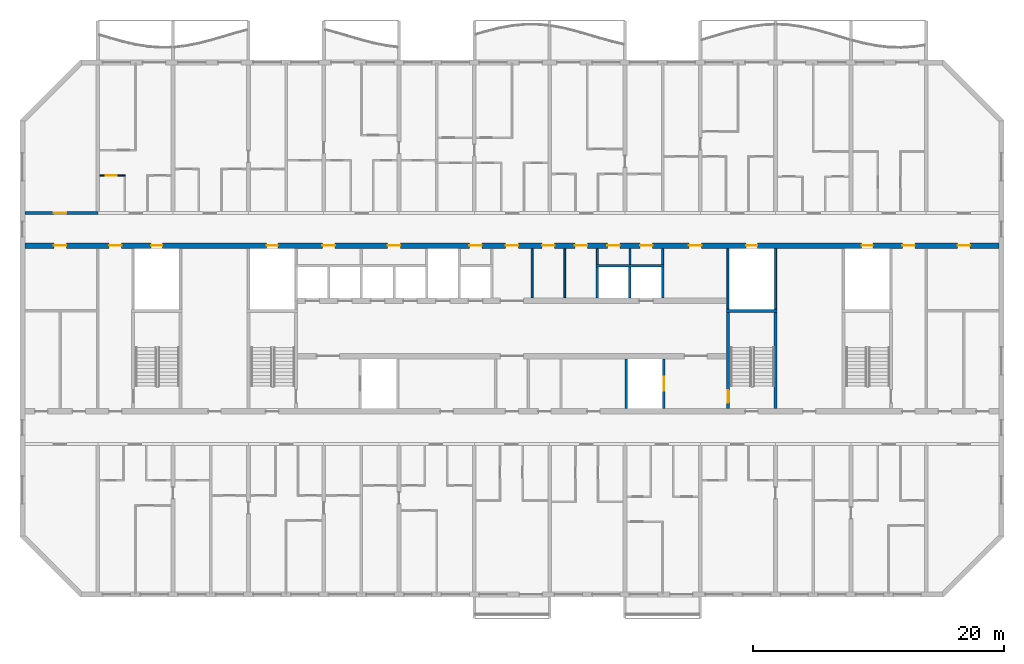
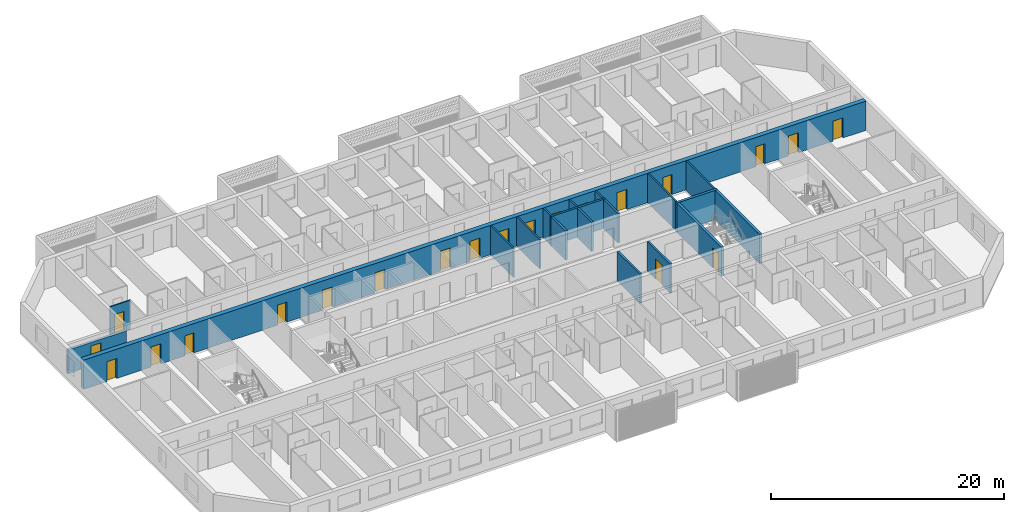
# One storey, part 7 of 31: 21 doors, 19 walls, 21 openings.
"""IFC4 building model written with IfcOpenShell, lengths in metres."""

from ifc_helpers import new_model, si_unit, direction, frame, frame_2d, origin, place, context, subcontext, project, spatial, rectangle, extrude, material, layer, layer_set, type_object, element, fill, save


model = new_model("IFC4")

# Units and contexts
model_context = context("Model", 3, precision=1e-05, world=origin(), true_north=direction((0.0, 1.0)))
body_context = subcontext(model_context, "Body", "Model", "MODEL_VIEW")
ifc_project = project(units=[si_unit("LENGTHUNIT", "METRE"), si_unit("AREAUNIT", "SQUARE_METRE"), si_unit("VOLUMEUNIT", "CUBIC_METRE"), si_unit("PLANEANGLEUNIT", "RADIAN"), si_unit("MASSUNIT", "GRAM", prefix="KILO")], contexts=[model_context])

# Site, building, storey
site_placement = place(None, origin())
site = spatial("IfcSite", under=ifc_project, at=site_placement, CompositionType="ELEMENT")
building_placement = place(site_placement, origin())
building = spatial("IfcBuilding", under=site, at=building_placement, Name="Poui Terraces", CompositionType="ELEMENT")
storey_placement = place(building_placement, frame((0.0, 0.0, 148.800048828125)))
storey = spatial("IfcBuildingStorey", under=building, at=storey_placement, Name="L41", CompositionType="ELEMENT", Elevation=148.800048828125)

# Wall
ifc_material_1 = material(Name="Fire-rated plasterboard wall")
ifc_layer_1 = layer(ifc_material_1, 0.14990234375)
ifc_layer_set_1 = layer_set([ifc_layer_1], Name="Fire-rated plasterboard wall")
wall_type_1 = type_object("IfcWallType", Name="CORRIDOR WALL 150", PredefinedType="PARTITIONING", material=ifc_layer_set_1)
wall_1_placement = place(storey_placement, frame((52.60009765625, 23.635009765625, 0.0), z_axis=(0.0, 0.0, 1.0), x_axis=(0.0, 1.0, 0.0)))
element("IfcWall", 1, at=wall_1_placement, inside=storey, type_object=wall_type_1, Name="CORRIDOR WALL 150", PredefinedType="PARTITIONING", context=body_context, shape_type="SweptSolid", body=[
    extrude(rectangle(XDim=3.929931640625, YDim=0.14990234375, at=frame_2d((1.96484375, 0.0))), origin(), (0.0, 0.0, 1.0), 3.070068359375),
])

# Wall, opening, door
ifc_material_2 = material(Name="Concrete 65 MPa", Category="concrete")
ifc_layer_2 = layer(ifc_material_2, 0.25)
ifc_layer_set_2 = layer_set([ifc_layer_2], Name="Concrete 65 MPa")
wall_type_2 = type_object("IfcWallType", Name="CORRIDOR WALL 250 65MPa", PredefinedType="SHEAR", material=ifc_layer_set_2)
wall_2_placement = place(storey_placement, frame((12.199951171875, 30.39990234375, 0.0), z_axis=(0.0, 0.0, 1.0), x_axis=(1.0, 0.0, 0.0)))
wall_2 = element("IfcWall", 2, at=wall_2_placement, inside=storey, type_object=wall_type_2, Name="CORRIDOR WALL LINE E BAY 1", PredefinedType="SHEAR", context=body_context, shape_type="SweptSolid", body=[
    extrude(rectangle(XDim=5.800048828125, YDim=0.25, at=frame_2d((2.89990234375, 0.0))), origin(), (0.0, 0.0, 1.0), 2.469970703125),
])
opening_1_placement = place(wall_2_placement, frame((2.300048828125, 0.0, 0.0)))
opening_1 = element("IfcOpeningElement", 3, at=opening_1_placement, cuts=wall_2, Name="Opening D100", PredefinedType="OPENING", context=body_context, shape_type="SweptSolid", body=[
    extrude(rectangle(XDim=1.0, YDim=2.10009765625, at=frame_2d((0.5, 1.050048828125))), frame((0.0, 0.135009765625, 0.0), z_axis=(0.0, -1.0, 0.0), x_axis=(1.0, 0.0, 0.0)), (0.0, 0.0, 1.0), 0.27001953125),
])
ifc_material_3 = material(Name="Solid core timber door", Category="wood")
door_type_1 = type_object("IfcDoorType", Name="ACCESSIBLE INTERNAL DOOR 1000 X 2100", OperationType="NOTDEFINED", PredefinedType="DOOR", material=ifc_material_3)
door_1_placement = place(opening_1_placement, origin())
door_1 = element("IfcDoor", 4, at=door_1_placement, inside=storey, type_object=door_type_1, Name="ACCESSIBLE INTERNAL DOOR 032", OperationType="SINGLE_SWING_LEFT", OverallHeight=2.10009765625, OverallWidth=1.0, PredefinedType="DOOR", context=body_context, shape_type="SweptSolid", body=[
    extrude(rectangle(XDim=1.0, YDim=2.10009765625, at=frame_2d((0.5, 1.050048828125))), frame((0.0, 0.02490234375, 0.0), z_axis=(0.0, -1.0, 0.0), x_axis=(1.0, 0.0, 0.0)), (0.0, 0.0, 1.0), 0.050048828125),
])
fill(opening_1, door_1)

ifc_material_4 = material(Name="Plasterboard partition")
ifc_layer_3 = layer(ifc_material_4, 0.10009765625)
ifc_layer_set_3 = layer_set([ifc_layer_3], Name="Plasterboard partition")
wall_type_3 = type_object("IfcWallType", Name="FLAT PARTITION 100", PredefinedType="PARTITIONING", material=ifc_layer_set_3)
wall_3_placement = place(storey_placement, frame((18.159912109375, 33.39990234375, 0.0), z_axis=(0.0, 0.0, 1.0), x_axis=(1.0, 0.0, 0.0)))
wall_3 = element("IfcWall", 5, at=wall_3_placement, inside=storey, type_object=wall_type_3, Name="FLAT PARTITION 100", PredefinedType="PARTITIONING", context=body_context, shape_type="SweptSolid", body=[
    extrude(rectangle(XDim=2.0400390625, YDim=0.10009765625, at=frame_2d((1.02001953125, 0.0))), origin(), (0.0, 0.0, 1.0), 3.070068359375),
])
opening_2_placement = place(wall_3_placement, frame((0.465087890625, 0.0, 0.0)))
opening_2 = element("IfcOpeningElement", 6, at=opening_2_placement, cuts=wall_3, Name="Opening D90", PredefinedType="OPENING", context=body_context, shape_type="SweptSolid", body=[
    extrude(rectangle(XDim=0.89990234375, YDim=2.10009765625, at=frame_2d((0.449951171875, 1.050048828125))), frame((0.0, 0.06005859375, 0.0), z_axis=(0.0, -1.0, 0.0), x_axis=(1.0, 0.0, 0.0)), (0.0, 0.0, 1.0), 0.1201171875),
])
door_type_2 = type_object("IfcDoorType", Name="INTERNAL DOOR 900 X 2100", OperationType="NOTDEFINED", PredefinedType="DOOR", material=ifc_material_3)
door_2_placement = place(opening_2_placement, frame((0.89990234375, 0.0, 0.0), z_axis=(0.0, 0.0, 1.0), x_axis=(-1.0, 0.0, 0.0)))
door_2 = element("IfcDoor", 7, at=door_2_placement, inside=storey, type_object=door_type_2, Name="INTERNAL DOOR 033", OperationType="SINGLE_SWING_LEFT", OverallHeight=2.10009765625, OverallWidth=0.89990234375, PredefinedType="DOOR", context=body_context, shape_type="SweptSolid", body=[
    extrude(rectangle(XDim=0.89990234375, YDim=2.10009765625, at=frame_2d((0.449951171875, 1.050048828125))), frame((0.0, 0.02490234375, 0.0), z_axis=(0.0, -1.0, 0.0), x_axis=(1.0, 0.0, 0.0)), (0.0, 0.0, 1.0), 0.050048828125),
])
fill(opening_2, door_2)

# Walls
ifc_layer_4 = layer(ifc_material_4, 0.14990234375)
ifc_layer_set_4 = layer_set([ifc_layer_4], Name="Plasterboard partition")
wall_type_4 = type_object("IfcWallType", Name="PARTITION WALL 150", PredefinedType="PARTITIONING", material=ifc_layer_set_4)
wall_4_placement = place(storey_placement, frame((55.199951171875, 23.635009765625, 0.0), z_axis=(0.0, 0.0, 1.0), x_axis=(0.0, 1.0, 0.0)))
element("IfcWall", 8, at=wall_4_placement, inside=storey, type_object=wall_type_4, Name="PARTITION WALL 150", PredefinedType="PARTITIONING", context=body_context, shape_type="SweptSolid", body=[
    extrude(rectangle(XDim=3.929931640625, YDim=0.14990234375, at=frame_2d((1.96484375, 0.0))), origin(), (0.0, 0.0, 1.0), 3.070068359375),
])
for number, where, z_axis, x_axis, name in (
    (9, (57.800048828125, 26.300048828125, 0.0), (0.0, 0.0, 1.0), (0.0, 1.0, 0.0), "PARTITION WALL 150"),
    (10, (60.39990234375, 26.300048828125, 0.0), (0.0, 0.0, 1.0), (0.0, 1.0, 0.0), "PARTITION WALL 150"),
    (11, (63.0, 26.300048828125, 0.0), (0.0, 0.0, 1.0), (0.0, 1.0, 0.0), "PARTITION WALL 150"),
):
    element("IfcWall", number, at=place(storey_placement, frame(where, z_axis=z_axis, x_axis=x_axis)), inside=storey, type_object=wall_type_4, Name=name, PredefinedType="PARTITIONING", context=body_context, shape_type="SweptSolid", body=[
        extrude(rectangle(XDim=1.264892578125, YDim=0.14990234375, at=frame_2d((0.63232421875, 0.0))), origin(), (0.0, 0.0, 1.0), 3.070068359375),
    ])
ifc_material_5 = material(Name="Fire-rated plasterboard riser wall")
ifc_layer_5 = layer(ifc_material_5, 0.14990234375)
ifc_layer_set_5 = layer_set([ifc_layer_5], Name="Fire-rated plasterboard riser wall")
wall_type_5 = type_object("IfcWallType", Name="RISER WALL 150", PredefinedType="PARTITIONING", material=ifc_layer_set_5)
for number, where, z_axis, x_axis, name in (
    (12, (68.199951171875, 22.735107421875, 0.0), (0.0, 0.0, 1.0), (0.0, 1.0, 0.0), "RISER WALL 150"),
    (13, (72.0, 22.735107421875, 0.0), (0.0, 0.0, 1.0), (0.0, 1.0, 0.0), "RISER WALL 150"),
):
    element("IfcWall", number, at=place(storey_placement, frame(where, z_axis=z_axis, x_axis=x_axis)), inside=storey, type_object=wall_type_5, Name=name, PredefinedType="PARTITIONING", context=body_context, shape_type="SweptSolid", body=[
        extrude(rectangle(XDim=4.829833984375, YDim=0.14990234375, at=frame_2d((2.4150390625, 0.0))), origin(), (0.0, 0.0, 1.0), 3.070068359375),
    ])
ifc_material_6 = material(Name="Fire-rated masonry shaft wall", Category="masonry")
ifc_layer_6 = layer(ifc_material_6, 0.199951171875)
ifc_layer_set_6 = layer_set([ifc_layer_6], Name="Fire-rated masonry shaft wall")
wall_type_6 = type_object("IfcWallType", Name="SHAFT WALL 200", PredefinedType="PARTITIONING", material=ifc_layer_set_6)
wall_5_placement = place(storey_placement, frame((57.699951171875, 26.199951171875, 0.0), z_axis=(0.0, 0.0, 1.0), x_axis=(1.0, 0.0, 0.0)))
element("IfcWall", 14, at=wall_5_placement, inside=storey, type_object=wall_type_6, Name="SHAFT WALL 200", PredefinedType="PARTITIONING", context=body_context, shape_type="SweptSolid", body=[
    extrude(rectangle(XDim=5.400146484375, YDim=0.199951171875, at=frame_2d((2.7001953125, 0.0))), origin(), (0.0, 0.0, 1.0), 3.070068359375),
])
wall_6_placement = place(storey_placement, frame((57.800048828125, 23.635009765625, 0.0), z_axis=(0.0, 0.0, 1.0), x_axis=(0.0, 1.0, 0.0)))
element("IfcWall", 15, at=wall_6_placement, inside=storey, type_object=wall_type_6, Name="SHAFT WALL 200", PredefinedType="PARTITIONING", context=body_context, shape_type="SweptSolid", body=[
    extrude(rectangle(XDim=2.465087890625, YDim=0.199951171875, at=frame_2d((1.232421875, 0.0))), origin(), (0.0, 0.0, 1.0), 3.070068359375),
])
wall_7_placement = place(storey_placement, frame((60.10009765625, 14.8349609375, 0.0), z_axis=(0.0, 0.0, 1.0), x_axis=(0.0, 1.0, 0.0)))
element("IfcWall", 16, at=wall_7_placement, inside=storey, type_object=wall_type_6, Name="SHAFT WALL 200", PredefinedType="PARTITIONING", context=body_context, shape_type="SweptSolid", body=[
    extrude(rectangle(XDim=3.929931640625, YDim=0.199951171875, at=frame_2d((1.96484375, 0.0))), origin(), (0.0, 0.0, 1.0), 3.070068359375),
])
for number, where, z_axis, x_axis, name in (
    (17, (60.39990234375, 23.635009765625, 0.0), (0.0, 0.0, 1.0), (0.0, 1.0, 0.0), "SHAFT WALL 200"),
    (18, (63.0, 23.635009765625, 0.0), (0.0, 0.0, 1.0), (0.0, 1.0, 0.0), "SHAFT WALL 200"),
):
    element("IfcWall", number, at=place(storey_placement, frame(where, z_axis=z_axis, x_axis=x_axis)), inside=storey, type_object=wall_type_6, Name=name, PredefinedType="PARTITIONING", context=body_context, shape_type="SweptSolid", body=[
        extrude(rectangle(XDim=2.465087890625, YDim=0.199951171875, at=frame_2d((1.232421875, 0.0))), origin(), (0.0, 0.0, 1.0), 3.070068359375),
    ])

# Wall, opening, door
wall_8_placement = place(storey_placement, frame((63.10009765625, 14.8349609375, 0.0), z_axis=(0.0, 0.0, 1.0), x_axis=(0.0, 1.0, 0.0)))
wall_8 = element("IfcWall", 19, at=wall_8_placement, inside=storey, type_object=wall_type_6, Name="SHAFT WALL 200", PredefinedType="PARTITIONING", context=body_context, shape_type="SweptSolid", body=[
    extrude(rectangle(XDim=3.929931640625, YDim=0.199951171875, at=frame_2d((1.96484375, 0.0))), origin(), (0.0, 0.0, 1.0), 3.070068359375),
])
opening_3_placement = place(wall_8_placement, frame((1.4150390625, 0.0, 0.0)))
opening_3 = element("IfcOpeningElement", 20, at=opening_3_placement, cuts=wall_8, Name="Opening LD", PredefinedType="OPENING", context=body_context, shape_type="SweptSolid", body=[
    extrude(rectangle(XDim=1.10009765625, YDim=2.10009765625, at=frame_2d((0.550048828125, 1.050048828125))), frame((0.0, 0.10986328125, 0.0), z_axis=(0.0, -1.0, 0.0), x_axis=(1.0, 0.0, 0.0)), (0.0, 0.0, 1.0), 0.219970703125),
])
ifc_material_7 = material(Name="Stainless steel sliding door", Category="steel")
door_type_3 = type_object("IfcDoorType", Name="LIFT LANDING DOOR 1100 X 2100", OperationType="DOUBLE_DOOR_SLIDING", PredefinedType="DOOR", material=ifc_material_7)
door_3_placement = place(opening_3_placement, origin())
door_3 = element("IfcDoor", 21, at=door_3_placement, inside=storey, type_object=door_type_3, Name="LANDING DOOR", OperationType="DOUBLE_DOOR_SLIDING", OverallHeight=2.10009765625, OverallWidth=1.10009765625, PredefinedType="DOOR", context=body_context, shape_type="SweptSolid", body=[
    extrude(rectangle(XDim=1.10009765625, YDim=2.10009765625, at=frame_2d((0.550048828125, 1.050048828125))), frame((0.0, 0.02490234375, 0.0), z_axis=(0.0, -1.0, 0.0), x_axis=(1.0, 0.0, 0.0)), (0.0, 0.0, 1.0), 0.050048828125),
])
fill(opening_3, door_3)

# Wall, openings, doors
ifc_layer_7 = layer(ifc_material_2, 0.449951171875)
ifc_layer_set_7 = layer_set([ifc_layer_7], Name="Concrete 65 MPa")
wall_type_7 = type_object("IfcWallType", Name="SPINE WALL 450 65 MPA", PredefinedType="SOLIDWALL", material=ifc_layer_set_7)
wall_9_placement = place(storey_placement, frame((12.199951171875, 27.800048828125, 0.0), z_axis=(0.0, 0.0, 1.0), x_axis=(1.0, 0.0, 0.0)))
wall_9 = element("IfcWall", 22, at=wall_9_placement, inside=storey, type_object=wall_type_7, Name="SPINE WALL", PredefinedType="SOLIDWALL", context=body_context, shape_type="SweptSolid", body=[
    extrude(rectangle(XDim=77.60009765625, YDim=0.449951171875, at=frame_2d((38.800048828125, 0.0))), origin(), (0.0, 0.0, 1.0), 3.070068359375),
])
opening_4_placement = place(wall_9_placement, frame((2.300048828125, 0.0, 0.0)))
opening_4 = element("IfcOpeningElement", 23, at=opening_4_placement, cuts=wall_9, Name="Opening FD60", PredefinedType="OPENING", context=body_context, shape_type="SweptSolid", body=[
    extrude(rectangle(XDim=1.0, YDim=2.10009765625, at=frame_2d((0.5, 1.050048828125))), frame((0.0, 0.23486328125, 0.0), z_axis=(0.0, -1.0, 0.0), x_axis=(1.0, 0.0, 0.0)), (0.0, 0.0, 1.0), 0.469970703125),
])
opening_5_placement = place(wall_9_placement, frame((6.699951171875, 0.0, 0.0)))
opening_5 = element("IfcOpeningElement", 24, at=opening_5_placement, cuts=wall_9, Name="Opening FDL", PredefinedType="OPENING", context=body_context, shape_type="SweptSolid", body=[
    extrude(rectangle(XDim=1.0, YDim=2.10009765625, at=frame_2d((0.5, 1.050048828125))), frame((0.0, 0.23486328125, 0.0), z_axis=(0.0, -1.0, 0.0), x_axis=(1.0, 0.0, 0.0)), (0.0, 0.0, 1.0), 0.469970703125),
])
opening_6_placement = place(wall_9_placement, frame((10.050048828125, 0.0, 0.0)))
opening_6 = element("IfcOpeningElement", 25, at=opening_6_placement, cuts=wall_9, Name="Opening FDR", PredefinedType="OPENING", context=body_context, shape_type="SweptSolid", body=[
    extrude(rectangle(XDim=0.89990234375, YDim=2.10009765625, at=frame_2d((0.449951171875, 1.050048828125))), frame((0.0, 0.23486328125, 0.0), z_axis=(0.0, -1.0, 0.0), x_axis=(1.0, 0.0, 0.0)), (0.0, 0.0, 1.0), 0.469970703125),
])
opening_7_placement = place(wall_9_placement, frame((19.25, 0.0, 0.0)))
opening_7 = element("IfcOpeningElement", 26, at=opening_7_placement, cuts=wall_9, Name="Opening FDR", PredefinedType="OPENING", context=body_context, shape_type="SweptSolid", body=[
    extrude(rectangle(XDim=0.89990234375, YDim=2.10009765625, at=frame_2d((0.449951171875, 1.050048828125))), frame((0.0, 0.23486328125, 0.0), z_axis=(0.0, -1.0, 0.0), x_axis=(1.0, 0.0, 0.0)), (0.0, 0.0, 1.0), 0.469970703125),
])
opening_8_placement = place(wall_9_placement, frame((23.699951171875, 0.0, 0.0)))
opening_8 = element("IfcOpeningElement", 27, at=opening_8_placement, cuts=wall_9, Name="Opening FD60", PredefinedType="OPENING", context=body_context, shape_type="SweptSolid", body=[
    extrude(rectangle(XDim=1.0, YDim=2.10009765625, at=frame_2d((0.5, 1.050048828125))), frame((0.0, 0.23486328125, 0.0), z_axis=(0.0, -1.0, 0.0), x_axis=(1.0, 0.0, 0.0)), (0.0, 0.0, 1.0), 0.469970703125),
])
opening_9_placement = place(wall_9_placement, frame((28.89990234375, 0.0, 0.0)))
opening_9 = element("IfcOpeningElement", 28, at=opening_9_placement, cuts=wall_9, Name="Opening FD60", PredefinedType="OPENING", context=body_context, shape_type="SweptSolid", body=[
    extrude(rectangle(XDim=1.0, YDim=2.10009765625, at=frame_2d((0.5, 1.050048828125))), frame((0.0, 0.23486328125, 0.0), z_axis=(0.0, -1.0, 0.0), x_axis=(1.0, 0.0, 0.0)), (0.0, 0.0, 1.0), 0.469970703125),
])
opening_10_placement = place(wall_9_placement, frame((35.39990234375, 0.0, 0.0)))
opening_10 = element("IfcOpeningElement", 29, at=opening_10_placement, cuts=wall_9, Name="Opening FD60", PredefinedType="OPENING", context=body_context, shape_type="SweptSolid", body=[
    extrude(rectangle(XDim=1.0, YDim=2.10009765625, at=frame_2d((0.5, 1.050048828125))), frame((0.0, 0.23486328125, 0.0), z_axis=(0.0, -1.0, 0.0), x_axis=(1.0, 0.0, 0.0)), (0.0, 0.0, 1.0), 0.469970703125),
])
opening_11_placement = place(wall_9_placement, frame((38.300048828125, 0.0, 0.0)))
opening_11 = element("IfcOpeningElement", 30, at=opening_11_placement, cuts=wall_9, Name="Opening FDL", PredefinedType="OPENING", context=body_context, shape_type="SweptSolid", body=[
    extrude(rectangle(XDim=1.0, YDim=2.10009765625, at=frame_2d((0.5, 1.050048828125))), frame((0.0, 0.23486328125, 0.0), z_axis=(0.0, -1.0, 0.0), x_axis=(1.0, 0.0, 0.0)), (0.0, 0.0, 1.0), 0.469970703125),
])
opening_12_placement = place(wall_9_placement, frame((41.199951171875, 0.0, 0.0)))
opening_12 = element("IfcOpeningElement", 31, at=opening_12_placement, cuts=wall_9, Name="Opening FD60", PredefinedType="OPENING", context=body_context, shape_type="SweptSolid", body=[
    extrude(rectangle(XDim=1.0, YDim=2.10009765625, at=frame_2d((0.5, 1.050048828125))), frame((0.0, 0.23486328125, 0.0), z_axis=(0.0, -1.0, 0.0), x_axis=(1.0, 0.0, 0.0)), (0.0, 0.0, 1.0), 0.469970703125),
])
opening_13_placement = place(wall_9_placement, frame((43.800048828125, 0.0, 0.0)))
opening_13 = element("IfcOpeningElement", 32, at=opening_13_placement, cuts=wall_9, Name="Opening FD60", PredefinedType="OPENING", context=body_context, shape_type="SweptSolid", body=[
    extrude(rectangle(XDim=1.0, YDim=2.10009765625, at=frame_2d((0.5, 1.050048828125))), frame((0.0, 0.23486328125, 0.0), z_axis=(0.0, -1.0, 0.0), x_axis=(1.0, 0.0, 0.0)), (0.0, 0.0, 1.0), 0.469970703125),
])
opening_14_placement = place(wall_9_placement, frame((46.39990234375, 0.0, 0.0)))
opening_14 = element("IfcOpeningElement", 33, at=opening_14_placement, cuts=wall_9, Name="Opening FD60", PredefinedType="OPENING", context=body_context, shape_type="SweptSolid", body=[
    extrude(rectangle(XDim=1.0, YDim=2.10009765625, at=frame_2d((0.5, 1.050048828125))), frame((0.0, 0.23486328125, 0.0), z_axis=(0.0, -1.0, 0.0), x_axis=(1.0, 0.0, 0.0)), (0.0, 0.0, 1.0), 0.469970703125),
])
opening_15_placement = place(wall_9_placement, frame((49.0, 0.0, 0.0)))
opening_15 = element("IfcOpeningElement", 34, at=opening_15_placement, cuts=wall_9, Name="Opening FD60", PredefinedType="OPENING", context=body_context, shape_type="SweptSolid", body=[
    extrude(rectangle(XDim=1.0, YDim=2.10009765625, at=frame_2d((0.5, 1.050048828125))), frame((0.0, 0.23486328125, 0.0), z_axis=(0.0, -1.0, 0.0), x_axis=(1.0, 0.0, 0.0)), (0.0, 0.0, 1.0), 0.469970703125),
])
opening_16_placement = place(wall_9_placement, frame((52.89990234375, 0.0, 0.0)))
opening_16 = element("IfcOpeningElement", 35, at=opening_16_placement, cuts=wall_9, Name="Opening FD60", PredefinedType="OPENING", context=body_context, shape_type="SweptSolid", body=[
    extrude(rectangle(XDim=1.0, YDim=2.10009765625, at=frame_2d((0.5, 1.050048828125))), frame((0.0, 0.23486328125, 0.0), z_axis=(0.0, -1.0, 0.0), x_axis=(1.0, 0.0, 0.0)), (0.0, 0.0, 1.0), 0.469970703125),
])
opening_17_placement = place(wall_9_placement, frame((57.449951171875, 0.0, 0.0)))
opening_17 = element("IfcOpeningElement", 36, at=opening_17_placement, cuts=wall_9, Name="Opening FDR", PredefinedType="OPENING", context=body_context, shape_type="SweptSolid", body=[
    extrude(rectangle(XDim=0.89990234375, YDim=2.10009765625, at=frame_2d((0.449951171875, 1.050048828125))), frame((0.0, 0.23486328125, 0.0), z_axis=(0.0, -1.0, 0.0), x_axis=(1.0, 0.0, 0.0)), (0.0, 0.0, 1.0), 0.469970703125),
])
opening_18_placement = place(wall_9_placement, frame((66.64990234375, 0.0, 0.0)))
opening_18 = element("IfcOpeningElement", 37, at=opening_18_placement, cuts=wall_9, Name="Opening FDR", PredefinedType="OPENING", context=body_context, shape_type="SweptSolid", body=[
    extrude(rectangle(XDim=0.89990234375, YDim=2.10009765625, at=frame_2d((0.449951171875, 1.050048828125))), frame((0.0, 0.23486328125, 0.0), z_axis=(0.0, -1.0, 0.0), x_axis=(1.0, 0.0, 0.0)), (0.0, 0.0, 1.0), 0.469970703125),
])
opening_19_placement = place(wall_9_placement, frame((69.89990234375, 0.0, 0.0)))
opening_19 = element("IfcOpeningElement", 38, at=opening_19_placement, cuts=wall_9, Name="Opening FDL", PredefinedType="OPENING", context=body_context, shape_type="SweptSolid", body=[
    extrude(rectangle(XDim=1.0, YDim=2.10009765625, at=frame_2d((0.5, 1.050048828125))), frame((0.0, 0.23486328125, 0.0), z_axis=(0.0, -1.0, 0.0), x_axis=(1.0, 0.0, 0.0)), (0.0, 0.0, 1.0), 0.469970703125),
])
opening_20_placement = place(wall_9_placement, frame((74.300048828125, 0.0, 0.0)))
opening_20 = element("IfcOpeningElement", 39, at=opening_20_placement, cuts=wall_9, Name="Opening FD60", PredefinedType="OPENING", context=body_context, shape_type="SweptSolid", body=[
    extrude(rectangle(XDim=1.0, YDim=2.10009765625, at=frame_2d((0.5, 1.050048828125))), frame((0.0, 0.23486328125, 0.0), z_axis=(0.0, -1.0, 0.0), x_axis=(1.0, 0.0, 0.0)), (0.0, 0.0, 1.0), 0.469970703125),
])
ifc_material_8 = material(Name="Steel fire door", Category="steel")
door_type_4 = type_object("IfcDoorType", Name="LOBBY FIRE DOOR 1000 X 2100", OperationType="NOTDEFINED", PredefinedType="DOOR", material=ifc_material_8)
door_4_placement = place(opening_5_placement, origin())
door_4 = element("IfcDoor", 40, at=door_4_placement, inside=storey, type_object=door_type_4, Name="LOBBY FIRE DOOR 002", OperationType="SINGLE_SWING_LEFT", OverallHeight=2.10009765625, OverallWidth=1.0, PredefinedType="DOOR", context=body_context, shape_type="SweptSolid", body=[
    extrude(rectangle(XDim=1.0, YDim=2.10009765625, at=frame_2d((0.5, 1.050048828125))), frame((0.0, 0.02490234375, 0.0), z_axis=(0.0, -1.0, 0.0), x_axis=(1.0, 0.0, 0.0)), (0.0, 0.0, 1.0), 0.050048828125),
])
fill(opening_5, door_4)
door_5_placement = place(opening_11_placement, origin())
door_5 = element("IfcDoor", 41, at=door_5_placement, inside=storey, type_object=door_type_4, Name="LOBBY FIRE DOOR 008", OperationType="SINGLE_SWING_RIGHT", OverallHeight=2.10009765625, OverallWidth=1.0, PredefinedType="DOOR", context=body_context, shape_type="SweptSolid", body=[
    extrude(rectangle(XDim=1.0, YDim=2.10009765625, at=frame_2d((0.5, 1.050048828125))), frame((0.0, 0.02490234375, 0.0), z_axis=(0.0, -1.0, 0.0), x_axis=(1.0, 0.0, 0.0)), (0.0, 0.0, 1.0), 0.050048828125),
])
fill(opening_11, door_5)
door_6_placement = place(opening_19_placement, origin())
door_6 = element("IfcDoor", 42, at=door_6_placement, inside=storey, type_object=door_type_4, Name="LOBBY FIRE DOOR 016", OperationType="SINGLE_SWING_RIGHT", OverallHeight=2.10009765625, OverallWidth=1.0, PredefinedType="DOOR", context=body_context, shape_type="SweptSolid", body=[
    extrude(rectangle(XDim=1.0, YDim=2.10009765625, at=frame_2d((0.5, 1.050048828125))), frame((0.0, 0.02490234375, 0.0), z_axis=(0.0, -1.0, 0.0), x_axis=(1.0, 0.0, 0.0)), (0.0, 0.0, 1.0), 0.050048828125),
])
fill(opening_19, door_6)
door_type_5 = type_object("IfcDoorType", Name="RISER CUPBOARD DOOR 900 X 2100", OperationType="NOTDEFINED", PredefinedType="DOOR", material=ifc_material_8)
door_7_placement = place(opening_6_placement, origin())
door_7 = element("IfcDoor", 43, at=door_7_placement, inside=storey, type_object=door_type_5, Name="RISER CUPBOARD DOOR 003", OperationType="SINGLE_SWING_LEFT", OverallHeight=2.10009765625, OverallWidth=0.89990234375, PredefinedType="DOOR", context=body_context, shape_type="SweptSolid", body=[
    extrude(rectangle(XDim=0.89990234375, YDim=2.10009765625, at=frame_2d((0.449951171875, 1.050048828125))), frame((0.0, 0.02490234375, 0.0), z_axis=(0.0, -1.0, 0.0), x_axis=(1.0, 0.0, 0.0)), (0.0, 0.0, 1.0), 0.050048828125),
])
fill(opening_6, door_7)
door_8_placement = place(opening_7_placement, origin())
door_8 = element("IfcDoor", 44, at=door_8_placement, inside=storey, type_object=door_type_5, Name="RISER CUPBOARD DOOR 004", OperationType="SINGLE_SWING_LEFT", OverallHeight=2.10009765625, OverallWidth=0.89990234375, PredefinedType="DOOR", context=body_context, shape_type="SweptSolid", body=[
    extrude(rectangle(XDim=0.89990234375, YDim=2.10009765625, at=frame_2d((0.449951171875, 1.050048828125))), frame((0.0, 0.02490234375, 0.0), z_axis=(0.0, -1.0, 0.0), x_axis=(1.0, 0.0, 0.0)), (0.0, 0.0, 1.0), 0.050048828125),
])
fill(opening_7, door_8)
door_9_placement = place(opening_17_placement, origin())
door_9 = element("IfcDoor", 45, at=door_9_placement, inside=storey, type_object=door_type_5, Name="RISER CUPBOARD DOOR 014", OperationType="SINGLE_SWING_RIGHT", OverallHeight=2.10009765625, OverallWidth=0.89990234375, PredefinedType="DOOR", context=body_context, shape_type="SweptSolid", body=[
    extrude(rectangle(XDim=0.89990234375, YDim=2.10009765625, at=frame_2d((0.449951171875, 1.050048828125))), frame((0.0, 0.02490234375, 0.0), z_axis=(0.0, -1.0, 0.0), x_axis=(1.0, 0.0, 0.0)), (0.0, 0.0, 1.0), 0.050048828125),
])
fill(opening_17, door_9)
door_10_placement = place(opening_18_placement, origin())
door_10 = element("IfcDoor", 46, at=door_10_placement, inside=storey, type_object=door_type_5, Name="RISER CUPBOARD DOOR 015", OperationType="SINGLE_SWING_RIGHT", OverallHeight=2.10009765625, OverallWidth=0.89990234375, PredefinedType="DOOR", context=body_context, shape_type="SweptSolid", body=[
    extrude(rectangle(XDim=0.89990234375, YDim=2.10009765625, at=frame_2d((0.449951171875, 1.050048828125))), frame((0.0, 0.02490234375, 0.0), z_axis=(0.0, -1.0, 0.0), x_axis=(1.0, 0.0, 0.0)), (0.0, 0.0, 1.0), 0.050048828125),
])
fill(opening_18, door_10)
door_type_6 = type_object("IfcDoorType", Name="SERVICE ROOM FIRE DOOR 1000 X 2100", OperationType="NOTDEFINED", PredefinedType="DOOR", material=ifc_material_8)
door_11_placement = place(opening_4_placement, origin())
door_11 = element("IfcDoor", 47, at=door_11_placement, inside=storey, type_object=door_type_6, Name="SERVICE ROOM FIRE DOOR 001", OperationType="SINGLE_SWING_RIGHT", OverallHeight=2.10009765625, OverallWidth=1.0, PredefinedType="DOOR", context=body_context, shape_type="SweptSolid", body=[
    extrude(rectangle(XDim=1.0, YDim=2.10009765625, at=frame_2d((0.5, 1.050048828125))), frame((0.0, 0.02490234375, 0.0), z_axis=(0.0, -1.0, 0.0), x_axis=(1.0, 0.0, 0.0)), (0.0, 0.0, 1.0), 0.050048828125),
])
fill(opening_4, door_11)
door_12_placement = place(opening_8_placement, origin())
door_12 = element("IfcDoor", 48, at=door_12_placement, inside=storey, type_object=door_type_6, Name="SERVICE ROOM FIRE DOOR 005", OperationType="SINGLE_SWING_RIGHT", OverallHeight=2.10009765625, OverallWidth=1.0, PredefinedType="DOOR", context=body_context, shape_type="SweptSolid", body=[
    extrude(rectangle(XDim=1.0, YDim=2.10009765625, at=frame_2d((0.5, 1.050048828125))), frame((0.0, 0.02490234375, 0.0), z_axis=(0.0, -1.0, 0.0), x_axis=(1.0, 0.0, 0.0)), (0.0, 0.0, 1.0), 0.050048828125),
])
fill(opening_8, door_12)
door_13_placement = place(opening_9_placement, origin())
door_13 = element("IfcDoor", 49, at=door_13_placement, inside=storey, type_object=door_type_6, Name="SERVICE ROOM FIRE DOOR 006", OperationType="SINGLE_SWING_LEFT", OverallHeight=2.10009765625, OverallWidth=1.0, PredefinedType="DOOR", context=body_context, shape_type="SweptSolid", body=[
    extrude(rectangle(XDim=1.0, YDim=2.10009765625, at=frame_2d((0.5, 1.050048828125))), frame((0.0, 0.02490234375, 0.0), z_axis=(0.0, -1.0, 0.0), x_axis=(1.0, 0.0, 0.0)), (0.0, 0.0, 1.0), 0.050048828125),
])
fill(opening_9, door_13)
door_14_placement = place(opening_10_placement, origin())
door_14 = element("IfcDoor", 50, at=door_14_placement, inside=storey, type_object=door_type_6, Name="SERVICE ROOM FIRE DOOR 007", OperationType="SINGLE_SWING_RIGHT", OverallHeight=2.10009765625, OverallWidth=1.0, PredefinedType="DOOR", context=body_context, shape_type="SweptSolid", body=[
    extrude(rectangle(XDim=1.0, YDim=2.10009765625, at=frame_2d((0.5, 1.050048828125))), frame((0.0, 0.02490234375, 0.0), z_axis=(0.0, -1.0, 0.0), x_axis=(1.0, 0.0, 0.0)), (0.0, 0.0, 1.0), 0.050048828125),
])
fill(opening_10, door_14)
door_15_placement = place(opening_12_placement, origin())
door_15 = element("IfcDoor", 51, at=door_15_placement, inside=storey, type_object=door_type_6, Name="SERVICE ROOM FIRE DOOR 009", OperationType="SINGLE_SWING_LEFT", OverallHeight=2.10009765625, OverallWidth=1.0, PredefinedType="DOOR", context=body_context, shape_type="SweptSolid", body=[
    extrude(rectangle(XDim=1.0, YDim=2.10009765625, at=frame_2d((0.5, 1.050048828125))), frame((0.0, 0.02490234375, 0.0), z_axis=(0.0, -1.0, 0.0), x_axis=(1.0, 0.0, 0.0)), (0.0, 0.0, 1.0), 0.050048828125),
])
fill(opening_12, door_15)
door_16_placement = place(opening_13_placement, origin())
door_16 = element("IfcDoor", 52, at=door_16_placement, inside=storey, type_object=door_type_6, Name="SERVICE ROOM FIRE DOOR 010", OperationType="SINGLE_SWING_RIGHT", OverallHeight=2.10009765625, OverallWidth=1.0, PredefinedType="DOOR", context=body_context, shape_type="SweptSolid", body=[
    extrude(rectangle(XDim=1.0, YDim=2.10009765625, at=frame_2d((0.5, 1.050048828125))), frame((0.0, 0.02490234375, 0.0), z_axis=(0.0, -1.0, 0.0), x_axis=(1.0, 0.0, 0.0)), (0.0, 0.0, 1.0), 0.050048828125),
])
fill(opening_13, door_16)
door_17_placement = place(opening_14_placement, origin())
door_17 = element("IfcDoor", 53, at=door_17_placement, inside=storey, type_object=door_type_6, Name="SERVICE ROOM FIRE DOOR 011", OperationType="SINGLE_SWING_LEFT", OverallHeight=2.10009765625, OverallWidth=1.0, PredefinedType="DOOR", context=body_context, shape_type="SweptSolid", body=[
    extrude(rectangle(XDim=1.0, YDim=2.10009765625, at=frame_2d((0.5, 1.050048828125))), frame((0.0, 0.02490234375, 0.0), z_axis=(0.0, -1.0, 0.0), x_axis=(1.0, 0.0, 0.0)), (0.0, 0.0, 1.0), 0.050048828125),
])
fill(opening_14, door_17)
door_18_placement = place(opening_15_placement, origin())
door_18 = element("IfcDoor", 54, at=door_18_placement, inside=storey, type_object=door_type_6, Name="SERVICE ROOM FIRE DOOR 012", OperationType="SINGLE_SWING_RIGHT", OverallHeight=2.10009765625, OverallWidth=1.0, PredefinedType="DOOR", context=body_context, shape_type="SweptSolid", body=[
    extrude(rectangle(XDim=1.0, YDim=2.10009765625, at=frame_2d((0.5, 1.050048828125))), frame((0.0, 0.02490234375, 0.0), z_axis=(0.0, -1.0, 0.0), x_axis=(1.0, 0.0, 0.0)), (0.0, 0.0, 1.0), 0.050048828125),
])
fill(opening_15, door_18)
door_19_placement = place(opening_16_placement, origin())
door_19 = element("IfcDoor", 55, at=door_19_placement, inside=storey, type_object=door_type_6, Name="SERVICE ROOM FIRE DOOR 013", OperationType="SINGLE_SWING_LEFT", OverallHeight=2.10009765625, OverallWidth=1.0, PredefinedType="DOOR", context=body_context, shape_type="SweptSolid", body=[
    extrude(rectangle(XDim=1.0, YDim=2.10009765625, at=frame_2d((0.5, 1.050048828125))), frame((0.0, 0.02490234375, 0.0), z_axis=(0.0, -1.0, 0.0), x_axis=(1.0, 0.0, 0.0)), (0.0, 0.0, 1.0), 0.050048828125),
])
fill(opening_16, door_19)
door_20_placement = place(opening_20_placement, origin())
door_20 = element("IfcDoor", 56, at=door_20_placement, inside=storey, type_object=door_type_6, Name="SERVICE ROOM FIRE DOOR 017", OperationType="SINGLE_SWING_LEFT", OverallHeight=2.10009765625, OverallWidth=1.0, PredefinedType="DOOR", context=body_context, shape_type="SweptSolid", body=[
    extrude(rectangle(XDim=1.0, YDim=2.10009765625, at=frame_2d((0.5, 1.050048828125))), frame((0.0, 0.02490234375, 0.0), z_axis=(0.0, -1.0, 0.0), x_axis=(1.0, 0.0, 0.0)), (0.0, 0.0, 1.0), 0.050048828125),
])
fill(opening_20, door_20)

# Wall, opening, door
ifc_layer_8 = layer(ifc_material_2, 0.25)
ifc_layer_set_8 = layer_set([ifc_layer_8], Name="Concrete 65 MPa")
wall_type_8 = type_object("IfcWallType", Name="STAIR CORE WALL 250 65 MPA", PredefinedType="SOLIDWALL", material=ifc_layer_set_8)
wall_10_placement = place(storey_placement, frame((68.199951171875, 14.824951171875, 0.0), z_axis=(0.0, 0.0, 1.0), x_axis=(0.0, 1.0, 0.0)))
wall_10 = element("IfcWall", 57, at=wall_10_placement, inside=storey, type_object=wall_type_8, Name="STAIR CORE WALL", PredefinedType="SOLIDWALL", context=body_context, shape_type="SweptSolid", body=[
    extrude(rectangle(XDim=7.650146484375, YDim=0.25, at=frame_2d((3.8251953125, 0.0))), origin(), (0.0, 0.0, 1.0), 3.070068359375),
])
opening_21_placement = place(wall_10_placement, frame((0.47509765625, 0.0, 0.0)))
opening_21 = element("IfcOpeningElement", 58, at=opening_21_placement, cuts=wall_10, Name="Opening FD60S", PredefinedType="OPENING", context=body_context, shape_type="SweptSolid", body=[
    extrude(rectangle(XDim=1.0, YDim=2.10009765625, at=frame_2d((0.5, 1.050048828125))), frame((0.0, 0.135009765625, 0.0), z_axis=(0.0, -1.0, 0.0), x_axis=(1.0, 0.0, 0.0)), (0.0, 0.0, 1.0), 0.27001953125),
])
door_type_7 = type_object("IfcDoorType", Name="STAIR DOOR 1000 X 2100", OperationType="NOTDEFINED", PredefinedType="DOOR", material=ifc_material_8)
door_21_placement = place(opening_21_placement, frame((1.0, 0.0, 0.0), z_axis=(0.0, 0.0, 1.0), x_axis=(-1.0, 0.0, 0.0)))
door_21 = element("IfcDoor", 59, at=door_21_placement, inside=storey, type_object=door_type_7, Name="STAIR DOOR 121", OperationType="SINGLE_SWING_LEFT", OverallHeight=2.10009765625, OverallWidth=1.0, PredefinedType="DOOR", context=body_context, shape_type="SweptSolid", body=[
    extrude(rectangle(XDim=1.0, YDim=2.10009765625, at=frame_2d((0.5, 1.050048828125))), frame((0.0, 0.02490234375, 0.0), z_axis=(0.0, -1.0, 0.0), x_axis=(1.0, 0.0, 0.0)), (0.0, 0.0, 1.0), 0.050048828125),
])
fill(opening_21, door_21)

# Walls
wall_11_placement = place(storey_placement, frame((72.0, 14.824951171875, 0.0), z_axis=(0.0, 0.0, 1.0), x_axis=(0.0, 1.0, 0.0)))
element("IfcWall", 60, at=wall_11_placement, inside=storey, type_object=wall_type_8, Name="STAIR CORE WALL", PredefinedType="SOLIDWALL", context=body_context, shape_type="SweptSolid", body=[
    extrude(rectangle(XDim=7.650146484375, YDim=0.25, at=frame_2d((3.8251953125, 0.0))), origin(), (0.0, 0.0, 1.0), 3.070068359375),
])
wall_12_placement = place(storey_placement, frame((68.074951171875, 22.60009765625, 0.0), z_axis=(0.0, 0.0, 1.0), x_axis=(1.0, 0.0, 0.0)))
element("IfcWall", 61, at=wall_12_placement, inside=storey, type_object=wall_type_8, Name="STAIR CORE WALL", PredefinedType="SOLIDWALL", context=body_context, shape_type="SweptSolid", body=[
    extrude(rectangle(XDim=4.050048828125, YDim=0.25, at=frame_2d((2.02490234375, 0.0))), origin(), (0.0, 0.0, 1.0), 3.070068359375),
])

save(model, "model.ifc")
